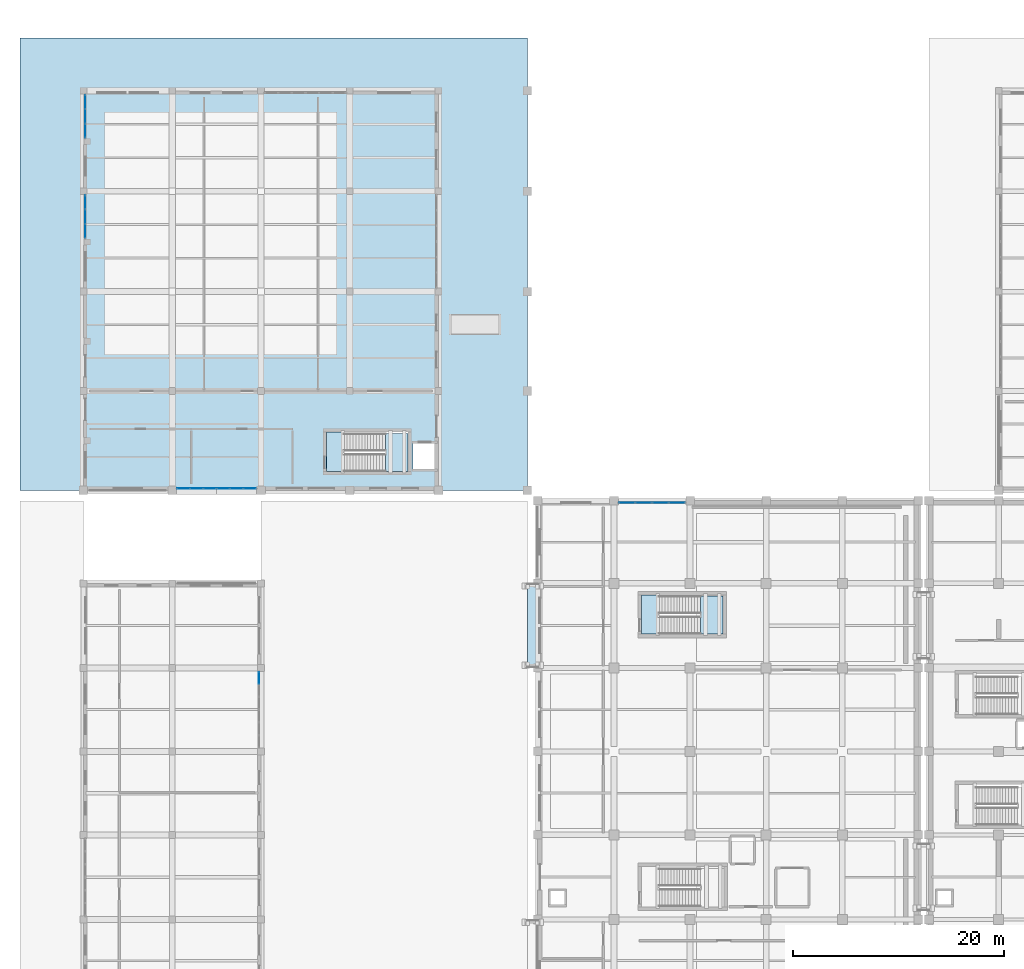
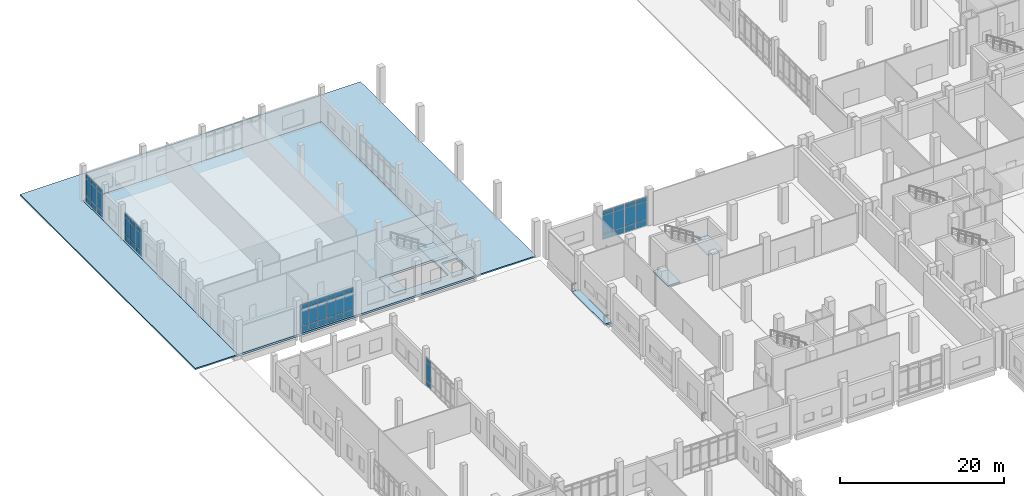
# One storey, part 43 of 79: 51 plates, 7 slabs, 9 elements without a shape of their own.
"""IFC4 building model written with IfcOpenShell, lengths in metres."""

from ifc_helpers import new_model, si_unit, direction, frame, origin, origin_2d, place, context, subcontext, project, spatial, polyline, rectangle, outline, extrude, material, layer, layer_set, type_object, element, aggregate, save


model = new_model("IFC4")

# Units and contexts
model_context = context("Model", 3, precision=1e-05, world=origin(), true_north=direction((0.0, 1.0)))
body_context = subcontext(model_context, "Body", "Model", "MODEL_VIEW")
ifc_project = project(units=[si_unit("LENGTHUNIT", "METRE"), si_unit("AREAUNIT", "SQUARE_METRE"), si_unit("VOLUMEUNIT", "CUBIC_METRE"), si_unit("PLANEANGLEUNIT", "RADIAN"), si_unit("MASSUNIT", "GRAM", prefix="KILO")], contexts=[model_context])

# Site, building, storey
site_placement = place(None, origin())
site = spatial("IfcSite", under=ifc_project, at=site_placement, CompositionType="ELEMENT")
building_placement = place(site_placement, origin())
building = spatial("IfcBuilding", under=site, at=building_placement, Name="Kelarvand Opera House", CompositionType="ELEMENT")
storey_placement = place(building_placement, origin())
storey = spatial("IfcBuildingStorey", under=building, at=storey_placement, Name="L00", CompositionType="ELEMENT", Elevation=0.0)

# Slabs
ifc_material_1 = material(Name="Concrete C35/45", Category="concrete")
ifc_layer_1 = layer(ifc_material_1, 0.219970703125, Name="Concrete C35/45", Category="concrete")
ifc_layer_set_1 = layer_set([ifc_layer_1], Name="Concrete C35/45")
slab_type_1 = type_object("IfcSlabType", Name="Core Stair Entry Landing Slab 220", PredefinedType="LANDING", material=ifc_layer_set_1)
slab_1_placement = place(storey_placement, frame((0.0, 0.0, -0.219970703125)))
element("IfcSlab", 1, at=slab_1_placement, inside=storey, type_object=slab_type_1, Name="C3 Stair Entry Landing L00", PredefinedType="LANDING", context=body_context, shape_type="SweptSolid", body=[
    extrude(outline(polyline([(61.800048828125, 73.60009765625), (63.52001953125, 73.60009765625), (63.52001953125, 77.300048828125), (61.800048828125, 77.300048828125), (61.800048828125, 73.60009765625)])), origin(), (0.0, 0.0, 1.0), 0.219970703125),
])
slab_2_placement = place(storey_placement, frame((0.0, 0.0, -0.219970703125)))
element("IfcSlab", 2, at=slab_2_placement, inside=storey, type_object=slab_type_1, Name="C5 Stair Entry Landing L00", PredefinedType="LANDING", context=body_context, shape_type="SweptSolid", body=[
    extrude(outline(polyline([(32.0, 89.0), (33.719970703125, 89.0), (33.719970703125, 92.699951171875), (32.0, 92.699951171875), (32.0, 89.0)])), origin(), (0.0, 0.0, 1.0), 0.219970703125),
])

# Curtain wall, plates
ifc_material_2 = material(Name="Thermally broken aluminium and low-E glazing", Category="aluminium")
ifc_layer_2 = layer(ifc_material_2, 0.179931640625, Name="Thermally broken aluminium and low-E glazing", Category="aluminium")
ifc_layer_set_2 = layer_set([ifc_layer_2], Name="Thermally broken aluminium and low-E glazing")
curtain_wall_type_1 = type_object("IfcCurtainWallType", Name="Unitised Low-E Curtain Wall 3176x4350 Mod 1350 CWF-09", PredefinedType="USERDEFINED", material=ifc_layer_set_2)
curtain_wall_1_placement = place(storey_placement, origin())
curtain_wall_1 = element("IfcCurtainWall", 3, at=curtain_wall_1_placement, inside=storey, type_object=curtain_wall_type_1, Name="V2 L00 Curtain Wall CWF-09 (27)", ObjectType="UNITISED CURTAIN WALL", PredefinedType="USERDEFINED")
ifc_material_3 = material(Name="Low-E laminated double glazing", Category="glass")
ifc_layer_3 = layer(ifc_material_3, 0.031982421875, Name="Low-E laminated double glazing", Category="glass")
ifc_layer_set_3 = layer_set([ifc_layer_3], Name="Low-E laminated double glazing")
plate_type = type_object("IfcPlateType", Name="Low-E Argon Double Glazed Curtain Panel 32mm", PredefinedType="CURTAIN_PANEL", material=ifc_layer_set_3)
plate_1_placement = place(storey_placement, frame((60.43017578125, 86.02001953125, 0.06494140625), z_axis=(0.0, 0.0, 1.0), x_axis=(1.0, 0.0, 0.0)))
plate_1 = element("IfcPlate", 4, at=plate_1_placement, type_object=plate_type, Name="CWF-09 panel 1.1", PredefinedType="CURTAIN_PANEL", context=body_context, shape_type="SweptSolid", body=[
    extrude(rectangle(XDim=1.490478515625, YDim=0.031982421875, at=origin_2d()), origin(), (0.0, 0.0, 1.0), 0.802490234375),
])
plate_2_placement = place(storey_placement, frame((60.43017578125, 86.02001953125, 0.932373046875), z_axis=(0.0, 0.0, 1.0), x_axis=(1.0, 0.0, 0.0)))
plate_2 = element("IfcPlate", 5, at=plate_2_placement, type_object=plate_type, Name="CWF-09 panel 1.2", PredefinedType="CURTAIN_PANEL", context=body_context, shape_type="SweptSolid", body=[
    extrude(rectangle(XDim=1.490478515625, YDim=0.031982421875, at=origin_2d()), origin(), (0.0, 0.0, 1.0), 2.68505859375),
])
plate_3_placement = place(storey_placement, frame((60.43017578125, 86.02001953125, 3.682373046875), z_axis=(0.0, 0.0, 1.0), x_axis=(1.0, 0.0, 0.0)))
plate_3 = element("IfcPlate", 6, at=plate_3_placement, type_object=plate_type, Name="CWF-09 panel 1.3", PredefinedType="CURTAIN_PANEL", context=body_context, shape_type="SweptSolid", body=[
    extrude(rectangle(XDim=1.490478515625, YDim=0.031982421875, at=origin_2d()), origin(), (0.0, 0.0, 1.0), 0.6025390625),
])
plate_4_placement = place(storey_placement, frame((61.98583984375, 86.02001953125, 0.06494140625), z_axis=(0.0, 0.0, 1.0), x_axis=(1.0, 0.0, 0.0)))
plate_4 = element("IfcPlate", 7, at=plate_4_placement, type_object=plate_type, Name="CWF-09 panel 2.1", PredefinedType="CURTAIN_PANEL", context=body_context, shape_type="SweptSolid", body=[
    extrude(rectangle(XDim=1.490478515625, YDim=0.031982421875, at=origin_2d()), origin(), (0.0, 0.0, 1.0), 0.802490234375),
])
plate_5_placement = place(storey_placement, frame((61.98583984375, 86.02001953125, 0.932373046875), z_axis=(0.0, 0.0, 1.0), x_axis=(1.0, 0.0, 0.0)))
plate_5 = element("IfcPlate", 8, at=plate_5_placement, type_object=plate_type, Name="CWF-09 panel 2.2", PredefinedType="CURTAIN_PANEL", context=body_context, shape_type="SweptSolid", body=[
    extrude(rectangle(XDim=1.490478515625, YDim=0.031982421875, at=origin_2d()), origin(), (0.0, 0.0, 1.0), 2.68505859375),
])
plate_6_placement = place(storey_placement, frame((61.98583984375, 86.02001953125, 3.682373046875), z_axis=(0.0, 0.0, 1.0), x_axis=(1.0, 0.0, 0.0)))
plate_6 = element("IfcPlate", 9, at=plate_6_placement, type_object=plate_type, Name="CWF-09 panel 2.3", PredefinedType="CURTAIN_PANEL", context=body_context, shape_type="SweptSolid", body=[
    extrude(rectangle(XDim=1.490478515625, YDim=0.031982421875, at=origin_2d()), origin(), (0.0, 0.0, 1.0), 0.6025390625),
])
aggregate(curtain_wall_1, [plate_1, plate_2, plate_3, plate_4, plate_5, plate_6])

curtain_wall_2_placement = place(storey_placement, origin())
curtain_wall_2 = element("IfcCurtainWall", 10, at=curtain_wall_2_placement, inside=storey, type_object=curtain_wall_type_1, Name="V2 L00 Curtain Wall CWF-09 (28)", ObjectType="UNITISED CURTAIN WALL", PredefinedType="USERDEFINED")
plate_7_placement = place(storey_placement, frame((63.611328125, 86.02001953125, 0.06494140625), z_axis=(0.0, 0.0, 1.0), x_axis=(1.0, 0.0, 0.0)))
plate_7 = element("IfcPlate", 11, at=plate_7_placement, type_object=plate_type, Name="CWF-09 panel 1.1", PredefinedType="CURTAIN_PANEL", context=body_context, shape_type="SweptSolid", body=[
    extrude(rectangle(XDim=1.492431640625, YDim=0.031982421875, at=origin_2d()), origin(), (0.0, 0.0, 1.0), 0.802490234375),
])
plate_8_placement = place(storey_placement, frame((63.611328125, 86.02001953125, 0.932373046875), z_axis=(0.0, 0.0, 1.0), x_axis=(1.0, 0.0, 0.0)))
plate_8 = element("IfcPlate", 12, at=plate_8_placement, type_object=plate_type, Name="CWF-09 panel 1.2", PredefinedType="CURTAIN_PANEL", context=body_context, shape_type="SweptSolid", body=[
    extrude(rectangle(XDim=1.492431640625, YDim=0.031982421875, at=origin_2d()), origin(), (0.0, 0.0, 1.0), 2.68505859375),
])
plate_9_placement = place(storey_placement, frame((63.611328125, 86.02001953125, 3.682373046875), z_axis=(0.0, 0.0, 1.0), x_axis=(1.0, 0.0, 0.0)))
plate_9 = element("IfcPlate", 13, at=plate_9_placement, type_object=plate_type, Name="CWF-09 panel 1.3", PredefinedType="CURTAIN_PANEL", context=body_context, shape_type="SweptSolid", body=[
    extrude(rectangle(XDim=1.492431640625, YDim=0.031982421875, at=origin_2d()), origin(), (0.0, 0.0, 1.0), 0.6025390625),
])
plate_10_placement = place(storey_placement, frame((65.168701171875, 86.02001953125, 0.06494140625), z_axis=(0.0, 0.0, 1.0), x_axis=(1.0, 0.0, 0.0)))
plate_10 = element("IfcPlate", 14, at=plate_10_placement, type_object=plate_type, Name="CWF-09 panel 2.1", PredefinedType="CURTAIN_PANEL", context=body_context, shape_type="SweptSolid", body=[
    extrude(rectangle(XDim=1.492431640625, YDim=0.031982421875, at=origin_2d()), origin(), (0.0, 0.0, 1.0), 0.802490234375),
])
plate_11_placement = place(storey_placement, frame((65.168701171875, 86.02001953125, 0.932373046875), z_axis=(0.0, 0.0, 1.0), x_axis=(1.0, 0.0, 0.0)))
plate_11 = element("IfcPlate", 15, at=plate_11_placement, type_object=plate_type, Name="CWF-09 panel 2.2", PredefinedType="CURTAIN_PANEL", context=body_context, shape_type="SweptSolid", body=[
    extrude(rectangle(XDim=1.492431640625, YDim=0.031982421875, at=origin_2d()), origin(), (0.0, 0.0, 1.0), 2.68505859375),
])
plate_12_placement = place(storey_placement, frame((65.168701171875, 86.02001953125, 3.682373046875), z_axis=(0.0, 0.0, 1.0), x_axis=(1.0, 0.0, 0.0)))
plate_12 = element("IfcPlate", 16, at=plate_12_placement, type_object=plate_type, Name="CWF-09 panel 2.3", PredefinedType="CURTAIN_PANEL", context=body_context, shape_type="SweptSolid", body=[
    extrude(rectangle(XDim=1.492431640625, YDim=0.031982421875, at=origin_2d()), origin(), (0.0, 0.0, 1.0), 0.6025390625),
])
aggregate(curtain_wall_2, [plate_7, plate_8, plate_9, plate_10, plate_11, plate_12])

ifc_layer_4 = layer(ifc_material_2, 0.179931640625, Name="Thermally broken aluminium and low-E glazing", Category="aluminium")
ifc_layer_set_4 = layer_set([ifc_layer_4], Name="Thermally broken aluminium and low-E glazing")
curtain_wall_type_2 = type_object("IfcCurtainWallType", Name="Unitised Low-E Curtain Wall 4155x4200 Mod 1350 CWF-13", PredefinedType="USERDEFINED", material=ifc_layer_set_4)
curtain_wall_3_placement = place(storey_placement, origin())
curtain_wall_3 = element("IfcCurtainWall", 17, at=curtain_wall_3_placement, inside=storey, type_object=curtain_wall_type_2, Name="V3 L00 Curtain Wall CWF-13 (43)", ObjectType="UNITISED CURTAIN WALL", PredefinedType="USERDEFINED")
plate_13_placement = place(storey_placement, frame((9.179931640625, 111.71875, 0.06494140625), z_axis=(0.0, 0.0, 1.0), x_axis=(0.0, 1.0, 0.0)))
plate_13 = element("IfcPlate", 18, at=plate_13_placement, type_object=plate_type, Name="CWF-13 panel 1.1", PredefinedType="CURTAIN_PANEL", context=body_context, shape_type="SweptSolid", body=[
    extrude(rectangle(XDim=1.28759765625, YDim=0.031982421875, at=origin_2d()), origin(), (0.0, 0.0, 1.0), 0.802490234375),
])
plate_14_placement = place(storey_placement, frame((9.179931640625, 111.71875, 0.9326171875), z_axis=(0.0, 0.0, 1.0), x_axis=(0.0, 1.0, 0.0)))
plate_14 = element("IfcPlate", 19, at=plate_14_placement, type_object=plate_type, Name="CWF-13 panel 1.2", PredefinedType="CURTAIN_PANEL", context=body_context, shape_type="SweptSolid", body=[
    extrude(rectangle(XDim=1.28759765625, YDim=0.031982421875, at=origin_2d()), origin(), (0.0, 0.0, 1.0), 2.534912109375),
])
plate_15_placement = place(storey_placement, frame((9.179931640625, 111.71875, 3.532470703125), z_axis=(0.0, 0.0, 1.0), x_axis=(0.0, 1.0, 0.0)))
plate_15 = element("IfcPlate", 20, at=plate_15_placement, type_object=plate_type, Name="CWF-13 panel 1.3", PredefinedType="CURTAIN_PANEL", context=body_context, shape_type="SweptSolid", body=[
    extrude(rectangle(XDim=1.28759765625, YDim=0.031982421875, at=origin_2d()), origin(), (0.0, 0.0, 1.0), 0.6025390625),
])
plate_16_placement = place(storey_placement, frame((9.179931640625, 113.08740234375, 0.06494140625), z_axis=(0.0, 0.0, 1.0), x_axis=(0.0, 1.0, 0.0)))
plate_16 = element("IfcPlate", 21, at=plate_16_placement, type_object=plate_type, Name="CWF-13 panel 2.1", PredefinedType="CURTAIN_PANEL", context=body_context, shape_type="SweptSolid", body=[
    extrude(rectangle(XDim=1.320068359375, YDim=0.031982421875, at=origin_2d()), origin(), (0.0, 0.0, 1.0), 0.802490234375),
])
plate_17_placement = place(storey_placement, frame((9.179931640625, 113.08740234375, 0.9326171875), z_axis=(0.0, 0.0, 1.0), x_axis=(0.0, 1.0, 0.0)))
plate_17 = element("IfcPlate", 22, at=plate_17_placement, type_object=plate_type, Name="CWF-13 panel 2.2", PredefinedType="CURTAIN_PANEL", context=body_context, shape_type="SweptSolid", body=[
    extrude(rectangle(XDim=1.320068359375, YDim=0.031982421875, at=origin_2d()), origin(), (0.0, 0.0, 1.0), 2.534912109375),
])
plate_18_placement = place(storey_placement, frame((9.179931640625, 113.08740234375, 3.532470703125), z_axis=(0.0, 0.0, 1.0), x_axis=(0.0, 1.0, 0.0)))
plate_18 = element("IfcPlate", 23, at=plate_18_placement, type_object=plate_type, Name="CWF-13 panel 2.3", PredefinedType="CURTAIN_PANEL", context=body_context, shape_type="SweptSolid", body=[
    extrude(rectangle(XDim=1.320068359375, YDim=0.031982421875, at=origin_2d()), origin(), (0.0, 0.0, 1.0), 0.6025390625),
])
plate_19_placement = place(storey_placement, frame((9.179931640625, 114.456298828125, 0.06494140625), z_axis=(0.0, 0.0, 1.0), x_axis=(0.0, 1.0, 0.0)))
plate_19 = element("IfcPlate", 24, at=plate_19_placement, type_object=plate_type, Name="CWF-13 panel 3.1", PredefinedType="CURTAIN_PANEL", context=body_context, shape_type="SweptSolid", body=[
    extrude(rectangle(XDim=1.28759765625, YDim=0.031982421875, at=origin_2d()), origin(), (0.0, 0.0, 1.0), 0.802490234375),
])
plate_20_placement = place(storey_placement, frame((9.179931640625, 114.456298828125, 0.9326171875), z_axis=(0.0, 0.0, 1.0), x_axis=(0.0, 1.0, 0.0)))
plate_20 = element("IfcPlate", 25, at=plate_20_placement, type_object=plate_type, Name="CWF-13 panel 3.2", PredefinedType="CURTAIN_PANEL", context=body_context, shape_type="SweptSolid", body=[
    extrude(rectangle(XDim=1.28759765625, YDim=0.031982421875, at=origin_2d()), origin(), (0.0, 0.0, 1.0), 2.534912109375),
])
plate_21_placement = place(storey_placement, frame((9.179931640625, 114.456298828125, 3.532470703125), z_axis=(0.0, 0.0, 1.0), x_axis=(0.0, 1.0, 0.0)))
plate_21 = element("IfcPlate", 26, at=plate_21_placement, type_object=plate_type, Name="CWF-13 panel 3.3", PredefinedType="CURTAIN_PANEL", context=body_context, shape_type="SweptSolid", body=[
    extrude(rectangle(XDim=1.28759765625, YDim=0.031982421875, at=origin_2d()), origin(), (0.0, 0.0, 1.0), 0.6025390625),
])
aggregate(curtain_wall_3, [plate_13, plate_14, plate_15, plate_16, plate_17, plate_18, plate_19, plate_20, plate_21])

curtain_wall_4_placement = place(storey_placement, origin())
curtain_wall_4 = element("IfcCurtainWall", 27, at=curtain_wall_4_placement, inside=storey, type_object=curtain_wall_type_2, Name="V3 L00 Curtain Wall CWF-13 (44)", ObjectType="UNITISED CURTAIN WALL", PredefinedType="USERDEFINED")
plate_22_placement = place(storey_placement, frame((9.179931640625, 121.21875, 0.06494140625), z_axis=(0.0, 0.0, 1.0), x_axis=(0.0, 1.0, 0.0)))
plate_22 = element("IfcPlate", 28, at=plate_22_placement, type_object=plate_type, Name="CWF-13 panel 1.1", PredefinedType="CURTAIN_PANEL", context=body_context, shape_type="SweptSolid", body=[
    extrude(rectangle(XDim=1.28759765625, YDim=0.031982421875, at=origin_2d()), origin(), (0.0, 0.0, 1.0), 0.802490234375),
])
plate_23_placement = place(storey_placement, frame((9.179931640625, 121.21875, 0.9326171875), z_axis=(0.0, 0.0, 1.0), x_axis=(0.0, 1.0, 0.0)))
plate_23 = element("IfcPlate", 29, at=plate_23_placement, type_object=plate_type, Name="CWF-13 panel 1.2", PredefinedType="CURTAIN_PANEL", context=body_context, shape_type="SweptSolid", body=[
    extrude(rectangle(XDim=1.28759765625, YDim=0.031982421875, at=origin_2d()), origin(), (0.0, 0.0, 1.0), 2.534912109375),
])
plate_24_placement = place(storey_placement, frame((9.179931640625, 121.21875, 3.532470703125), z_axis=(0.0, 0.0, 1.0), x_axis=(0.0, 1.0, 0.0)))
plate_24 = element("IfcPlate", 30, at=plate_24_placement, type_object=plate_type, Name="CWF-13 panel 1.3", PredefinedType="CURTAIN_PANEL", context=body_context, shape_type="SweptSolid", body=[
    extrude(rectangle(XDim=1.28759765625, YDim=0.031982421875, at=origin_2d()), origin(), (0.0, 0.0, 1.0), 0.6025390625),
])
plate_25_placement = place(storey_placement, frame((9.179931640625, 122.58740234375, 0.06494140625), z_axis=(0.0, 0.0, 1.0), x_axis=(0.0, 1.0, 0.0)))
plate_25 = element("IfcPlate", 31, at=plate_25_placement, type_object=plate_type, Name="CWF-13 panel 2.1", PredefinedType="CURTAIN_PANEL", context=body_context, shape_type="SweptSolid", body=[
    extrude(rectangle(XDim=1.320068359375, YDim=0.031982421875, at=origin_2d()), origin(), (0.0, 0.0, 1.0), 0.802490234375),
])
plate_26_placement = place(storey_placement, frame((9.179931640625, 122.58740234375, 0.9326171875), z_axis=(0.0, 0.0, 1.0), x_axis=(0.0, 1.0, 0.0)))
plate_26 = element("IfcPlate", 32, at=plate_26_placement, type_object=plate_type, Name="CWF-13 panel 2.2", PredefinedType="CURTAIN_PANEL", context=body_context, shape_type="SweptSolid", body=[
    extrude(rectangle(XDim=1.320068359375, YDim=0.031982421875, at=origin_2d()), origin(), (0.0, 0.0, 1.0), 2.534912109375),
])
plate_27_placement = place(storey_placement, frame((9.179931640625, 122.58740234375, 3.532470703125), z_axis=(0.0, 0.0, 1.0), x_axis=(0.0, 1.0, 0.0)))
plate_27 = element("IfcPlate", 33, at=plate_27_placement, type_object=plate_type, Name="CWF-13 panel 2.3", PredefinedType="CURTAIN_PANEL", context=body_context, shape_type="SweptSolid", body=[
    extrude(rectangle(XDim=1.320068359375, YDim=0.031982421875, at=origin_2d()), origin(), (0.0, 0.0, 1.0), 0.6025390625),
])
plate_28_placement = place(storey_placement, frame((9.179931640625, 123.956298828125, 0.06494140625), z_axis=(0.0, 0.0, 1.0), x_axis=(0.0, 1.0, 0.0)))
plate_28 = element("IfcPlate", 34, at=plate_28_placement, type_object=plate_type, Name="CWF-13 panel 3.1", PredefinedType="CURTAIN_PANEL", context=body_context, shape_type="SweptSolid", body=[
    extrude(rectangle(XDim=1.28759765625, YDim=0.031982421875, at=origin_2d()), origin(), (0.0, 0.0, 1.0), 0.802490234375),
])
plate_29_placement = place(storey_placement, frame((9.179931640625, 123.956298828125, 0.9326171875), z_axis=(0.0, 0.0, 1.0), x_axis=(0.0, 1.0, 0.0)))
plate_29 = element("IfcPlate", 35, at=plate_29_placement, type_object=plate_type, Name="CWF-13 panel 3.2", PredefinedType="CURTAIN_PANEL", context=body_context, shape_type="SweptSolid", body=[
    extrude(rectangle(XDim=1.28759765625, YDim=0.031982421875, at=origin_2d()), origin(), (0.0, 0.0, 1.0), 2.534912109375),
])
plate_30_placement = place(storey_placement, frame((9.179931640625, 123.956298828125, 3.532470703125), z_axis=(0.0, 0.0, 1.0), x_axis=(0.0, 1.0, 0.0)))
plate_30 = element("IfcPlate", 36, at=plate_30_placement, type_object=plate_type, Name="CWF-13 panel 3.3", PredefinedType="CURTAIN_PANEL", context=body_context, shape_type="SweptSolid", body=[
    extrude(rectangle(XDim=1.28759765625, YDim=0.031982421875, at=origin_2d()), origin(), (0.0, 0.0, 1.0), 0.6025390625),
])
aggregate(curtain_wall_4, [plate_22, plate_23, plate_24, plate_25, plate_26, plate_27, plate_28, plate_29, plate_30])

ifc_layer_5 = layer(ifc_material_2, 0.179931640625, Name="Thermally broken aluminium and low-E glazing", Category="aluminium")
ifc_layer_set_5 = layer_set([ifc_layer_5], Name="Thermally broken aluminium and low-E glazing")
curtain_wall_type_3 = type_object("IfcCurtainWallType", Name="Unitised Low-E Curtain Wall 3776x4200 Mod 1350 CWF-14", PredefinedType="USERDEFINED", material=ifc_layer_set_5)
curtain_wall_5_placement = place(storey_placement, origin())
curtain_wall_5 = element("IfcCurtainWall", 37, at=curtain_wall_5_placement, inside=storey, type_object=curtain_wall_type_3, Name="V3 L00 Curtain Wall CWF-14 (45)", ObjectType="UNITISED CURTAIN WALL", PredefinedType="USERDEFINED")
plate_31_placement = place(storey_placement, frame((24.734375, 87.3798828125, 0.06494140625), z_axis=(0.0, 0.0, 1.0), x_axis=(-1.0, 0.0, 0.0)))
plate_31 = element("IfcPlate", 38, at=plate_31_placement, type_object=plate_type, Name="CWF-14 panel 1.1", PredefinedType="CURTAIN_PANEL", context=body_context, shape_type="SweptSolid", body=[
    extrude(rectangle(XDim=1.1611328125, YDim=0.031982421875, at=origin_2d()), origin(), (0.0, 0.0, 1.0), 0.802490234375),
])
plate_32_placement = place(storey_placement, frame((24.734375, 87.3798828125, 0.9326171875), z_axis=(0.0, 0.0, 1.0), x_axis=(-1.0, 0.0, 0.0)))
plate_32 = element("IfcPlate", 39, at=plate_32_placement, type_object=plate_type, Name="CWF-14 panel 1.2", PredefinedType="CURTAIN_PANEL", context=body_context, shape_type="SweptSolid", body=[
    extrude(rectangle(XDim=1.1611328125, YDim=0.031982421875, at=origin_2d()), origin(), (0.0, 0.0, 1.0), 2.534912109375),
])
plate_33_placement = place(storey_placement, frame((24.734375, 87.3798828125, 3.532470703125), z_axis=(0.0, 0.0, 1.0), x_axis=(-1.0, 0.0, 0.0)))
plate_33 = element("IfcPlate", 40, at=plate_33_placement, type_object=plate_type, Name="CWF-14 panel 1.3", PredefinedType="CURTAIN_PANEL", context=body_context, shape_type="SweptSolid", body=[
    extrude(rectangle(XDim=1.1611328125, YDim=0.031982421875, at=origin_2d()), origin(), (0.0, 0.0, 1.0), 0.6025390625),
])
plate_34_placement = place(storey_placement, frame((23.491943359375, 87.3798828125, 0.06494140625), z_axis=(0.0, 0.0, 1.0), x_axis=(-1.0, 0.0, 0.0)))
plate_34 = element("IfcPlate", 41, at=plate_34_placement, type_object=plate_type, Name="CWF-14 panel 2.1", PredefinedType="CURTAIN_PANEL", context=body_context, shape_type="SweptSolid", body=[
    extrude(rectangle(XDim=1.193603515625, YDim=0.031982421875, at=origin_2d()), origin(), (0.0, 0.0, 1.0), 0.802490234375),
])
plate_35_placement = place(storey_placement, frame((23.491943359375, 87.3798828125, 0.9326171875), z_axis=(0.0, 0.0, 1.0), x_axis=(-1.0, 0.0, 0.0)))
plate_35 = element("IfcPlate", 42, at=plate_35_placement, type_object=plate_type, Name="CWF-14 panel 2.2", PredefinedType="CURTAIN_PANEL", context=body_context, shape_type="SweptSolid", body=[
    extrude(rectangle(XDim=1.193603515625, YDim=0.031982421875, at=origin_2d()), origin(), (0.0, 0.0, 1.0), 2.534912109375),
])
plate_36_placement = place(storey_placement, frame((23.491943359375, 87.3798828125, 3.532470703125), z_axis=(0.0, 0.0, 1.0), x_axis=(-1.0, 0.0, 0.0)))
plate_36 = element("IfcPlate", 43, at=plate_36_placement, type_object=plate_type, Name="CWF-14 panel 2.3", PredefinedType="CURTAIN_PANEL", context=body_context, shape_type="SweptSolid", body=[
    extrude(rectangle(XDim=1.193603515625, YDim=0.031982421875, at=origin_2d()), origin(), (0.0, 0.0, 1.0), 0.6025390625),
])
plate_37_placement = place(storey_placement, frame((22.24951171875, 87.3798828125, 0.06494140625), z_axis=(0.0, 0.0, 1.0), x_axis=(-1.0, 0.0, 0.0)))
plate_37 = element("IfcPlate", 44, at=plate_37_placement, type_object=plate_type, Name="CWF-14 panel 3.1", PredefinedType="CURTAIN_PANEL", context=body_context, shape_type="SweptSolid", body=[
    extrude(rectangle(XDim=1.1611328125, YDim=0.031982421875, at=origin_2d()), origin(), (0.0, 0.0, 1.0), 0.802490234375),
])
plate_38_placement = place(storey_placement, frame((22.24951171875, 87.3798828125, 0.9326171875), z_axis=(0.0, 0.0, 1.0), x_axis=(-1.0, 0.0, 0.0)))
plate_38 = element("IfcPlate", 45, at=plate_38_placement, type_object=plate_type, Name="CWF-14 panel 3.2", PredefinedType="CURTAIN_PANEL", context=body_context, shape_type="SweptSolid", body=[
    extrude(rectangle(XDim=1.1611328125, YDim=0.031982421875, at=origin_2d()), origin(), (0.0, 0.0, 1.0), 2.534912109375),
])
plate_39_placement = place(storey_placement, frame((22.24951171875, 87.3798828125, 3.532470703125), z_axis=(0.0, 0.0, 1.0), x_axis=(-1.0, 0.0, 0.0)))
plate_39 = element("IfcPlate", 46, at=plate_39_placement, type_object=plate_type, Name="CWF-14 panel 3.3", PredefinedType="CURTAIN_PANEL", context=body_context, shape_type="SweptSolid", body=[
    extrude(rectangle(XDim=1.1611328125, YDim=0.031982421875, at=origin_2d()), origin(), (0.0, 0.0, 1.0), 0.6025390625),
])
aggregate(curtain_wall_5, [plate_31, plate_32, plate_33, plate_34, plate_35, plate_36, plate_37, plate_38, plate_39])

curtain_wall_6_placement = place(storey_placement, origin())
curtain_wall_6 = element("IfcCurtainWall", 47, at=curtain_wall_6_placement, inside=storey, type_object=curtain_wall_type_3, Name="V3 L00 Curtain Wall CWF-14 (46)", ObjectType="UNITISED CURTAIN WALL", PredefinedType="USERDEFINED")
plate_40_placement = place(storey_placement, frame((20.953857421875, 87.3798828125, 0.06494140625), z_axis=(0.0, 0.0, 1.0), x_axis=(-1.0, 0.0, 0.0)))
plate_40 = element("IfcPlate", 48, at=plate_40_placement, type_object=plate_type, Name="CWF-14 panel 1.1", PredefinedType="CURTAIN_PANEL", context=body_context, shape_type="SweptSolid", body=[
    extrude(rectangle(XDim=1.16259765625, YDim=0.031982421875, at=origin_2d()), origin(), (0.0, 0.0, 1.0), 0.802490234375),
])
plate_41_placement = place(storey_placement, frame((20.953857421875, 87.3798828125, 0.9326171875), z_axis=(0.0, 0.0, 1.0), x_axis=(-1.0, 0.0, 0.0)))
plate_41 = element("IfcPlate", 49, at=plate_41_placement, type_object=plate_type, Name="CWF-14 panel 1.2", PredefinedType="CURTAIN_PANEL", context=body_context, shape_type="SweptSolid", body=[
    extrude(rectangle(XDim=1.16259765625, YDim=0.031982421875, at=origin_2d()), origin(), (0.0, 0.0, 1.0), 2.534912109375),
])
plate_42_placement = place(storey_placement, frame((20.953857421875, 87.3798828125, 3.532470703125), z_axis=(0.0, 0.0, 1.0), x_axis=(-1.0, 0.0, 0.0)))
plate_42 = element("IfcPlate", 50, at=plate_42_placement, type_object=plate_type, Name="CWF-14 panel 1.3", PredefinedType="CURTAIN_PANEL", context=body_context, shape_type="SweptSolid", body=[
    extrude(rectangle(XDim=1.16259765625, YDim=0.031982421875, at=origin_2d()), origin(), (0.0, 0.0, 1.0), 0.6025390625),
])
plate_43_placement = place(storey_placement, frame((19.7099609375, 87.3798828125, 0.06494140625), z_axis=(0.0, 0.0, 1.0), x_axis=(-1.0, 0.0, 0.0)))
plate_43 = element("IfcPlate", 51, at=plate_43_placement, type_object=plate_type, Name="CWF-14 panel 2.1", PredefinedType="CURTAIN_PANEL", context=body_context, shape_type="SweptSolid", body=[
    extrude(rectangle(XDim=1.195068359375, YDim=0.031982421875, at=origin_2d()), origin(), (0.0, 0.0, 1.0), 0.802490234375),
])
plate_44_placement = place(storey_placement, frame((19.7099609375, 87.3798828125, 0.9326171875), z_axis=(0.0, 0.0, 1.0), x_axis=(-1.0, 0.0, 0.0)))
plate_44 = element("IfcPlate", 52, at=plate_44_placement, type_object=plate_type, Name="CWF-14 panel 2.2", PredefinedType="CURTAIN_PANEL", context=body_context, shape_type="SweptSolid", body=[
    extrude(rectangle(XDim=1.195068359375, YDim=0.031982421875, at=origin_2d()), origin(), (0.0, 0.0, 1.0), 2.534912109375),
])
plate_45_placement = place(storey_placement, frame((19.7099609375, 87.3798828125, 3.532470703125), z_axis=(0.0, 0.0, 1.0), x_axis=(-1.0, 0.0, 0.0)))
plate_45 = element("IfcPlate", 53, at=plate_45_placement, type_object=plate_type, Name="CWF-14 panel 2.3", PredefinedType="CURTAIN_PANEL", context=body_context, shape_type="SweptSolid", body=[
    extrude(rectangle(XDim=1.195068359375, YDim=0.031982421875, at=origin_2d()), origin(), (0.0, 0.0, 1.0), 0.6025390625),
])
plate_46_placement = place(storey_placement, frame((18.46630859375, 87.3798828125, 0.06494140625), z_axis=(0.0, 0.0, 1.0), x_axis=(-1.0, 0.0, 0.0)))
plate_46 = element("IfcPlate", 54, at=plate_46_placement, type_object=plate_type, Name="CWF-14 panel 3.1", PredefinedType="CURTAIN_PANEL", context=body_context, shape_type="SweptSolid", body=[
    extrude(rectangle(XDim=1.16259765625, YDim=0.031982421875, at=origin_2d()), origin(), (0.0, 0.0, 1.0), 0.802490234375),
])
plate_47_placement = place(storey_placement, frame((18.46630859375, 87.3798828125, 0.9326171875), z_axis=(0.0, 0.0, 1.0), x_axis=(-1.0, 0.0, 0.0)))
plate_47 = element("IfcPlate", 55, at=plate_47_placement, type_object=plate_type, Name="CWF-14 panel 3.2", PredefinedType="CURTAIN_PANEL", context=body_context, shape_type="SweptSolid", body=[
    extrude(rectangle(XDim=1.16259765625, YDim=0.031982421875, at=origin_2d()), origin(), (0.0, 0.0, 1.0), 2.534912109375),
])
plate_48_placement = place(storey_placement, frame((18.46630859375, 87.3798828125, 3.532470703125), z_axis=(0.0, 0.0, 1.0), x_axis=(-1.0, 0.0, 0.0)))
plate_48 = element("IfcPlate", 56, at=plate_48_placement, type_object=plate_type, Name="CWF-14 panel 3.3", PredefinedType="CURTAIN_PANEL", context=body_context, shape_type="SweptSolid", body=[
    extrude(rectangle(XDim=1.16259765625, YDim=0.031982421875, at=origin_2d()), origin(), (0.0, 0.0, 1.0), 0.6025390625),
])
aggregate(curtain_wall_6, [plate_40, plate_41, plate_42, plate_43, plate_44, plate_45, plate_46, plate_47, plate_48])

ifc_layer_6 = layer(ifc_material_2, 0.179931640625, Name="Thermally broken aluminium and low-E glazing", Category="aluminium")
ifc_layer_set_6 = layer_set([ifc_layer_6], Name="Thermally broken aluminium and low-E glazing")
curtain_wall_type_4 = type_object("IfcCurtainWallType", Name="Unitised Low-E Curtain Wall 3611x4250 Mod 1350 CWF-25", PredefinedType="USERDEFINED", material=ifc_layer_set_6)
curtain_wall_7_placement = place(storey_placement, origin())
curtain_wall_7 = element("IfcCurtainWall", 57, at=curtain_wall_7_placement, inside=storey, type_object=curtain_wall_type_4, Name="V4 L00 Curtain Wall CWF-25 (117)", ObjectType="UNITISED CURTAIN WALL", PredefinedType="USERDEFINED")
plate_49_placement = place(storey_placement, frame((25.6201171875, 69.447021484375, 0.06494140625), z_axis=(0.0, 0.0, 1.0), x_axis=(0.0, -1.0, 0.0)))
plate_49 = element("IfcPlate", 58, at=plate_49_placement, type_object=plate_type, Name="CWF-25 panel 1.1", PredefinedType="CURTAIN_PANEL", context=body_context, shape_type="SweptSolid", body=[
    extrude(rectangle(XDim=1.106201171875, YDim=0.031982421875, at=origin_2d()), origin(), (0.0, 0.0, 1.0), 0.802490234375),
])
plate_50_placement = place(storey_placement, frame((25.6201171875, 69.447021484375, 0.9326171875), z_axis=(0.0, 0.0, 1.0), x_axis=(0.0, -1.0, 0.0)))
plate_50 = element("IfcPlate", 59, at=plate_50_placement, type_object=plate_type, Name="CWF-25 panel 1.2", PredefinedType="CURTAIN_PANEL", context=body_context, shape_type="SweptSolid", body=[
    extrude(rectangle(XDim=1.106201171875, YDim=0.031982421875, at=origin_2d()), origin(), (0.0, 0.0, 1.0), 2.5849609375),
])
plate_51_placement = place(storey_placement, frame((25.6201171875, 69.447021484375, 3.58251953125), z_axis=(0.0, 0.0, 1.0), x_axis=(0.0, -1.0, 0.0)))
plate_51 = element("IfcPlate", 60, at=plate_51_placement, type_object=plate_type, Name="CWF-25 panel 1.3", PredefinedType="CURTAIN_PANEL", context=body_context, shape_type="SweptSolid", body=[
    extrude(rectangle(XDim=1.106201171875, YDim=0.031982421875, at=origin_2d()), origin(), (0.0, 0.0, 1.0), 0.6025390625),
])
aggregate(curtain_wall_7, [plate_49, plate_50, plate_51])

# Stair, slab
stair_type = type_object("IfcStairType", Name="Dogleg Concrete Exit Stair 1660mm 30R STA-02", PredefinedType="HALF_TURN_STAIR", material=ifc_material_1)
stair_1_placement = place(storey_placement, origin())
stair_1 = element("IfcStair", 61, at=stair_1_placement, inside=storey, type_object=stair_type, Name="L00 Fly Tower North Technical Core C3 Stair ST-03", PredefinedType="HALF_TURN_STAIR")
ifc_layer_7 = layer(ifc_material_1, 0.199951171875, Name="Concrete C35/45", Category="concrete")
ifc_layer_set_7 = layer_set([ifc_layer_7], Name="Concrete C35/45")
slab_type_2 = type_object("IfcSlabType", Name="Precast Stair Half-Landing Slab 200", PredefinedType="LANDING", material=ifc_layer_set_7)
slab_3_placement = place(storey_placement, frame((0.0, 0.0, 2.5)))
slab_3 = element("IfcSlab", 62, at=slab_3_placement, type_object=slab_type_2, Name="ST-03 landing 1", PredefinedType="LANDING", context=body_context, shape_type="SweptSolid", body=[
    extrude(outline(polyline([(67.3798828125, 73.60009765625), (69.5, 73.60009765625), (69.5, 77.199951171875), (67.3798828125, 77.199951171875), (67.3798828125, 73.60009765625)])), origin(), (0.0, 0.0, 1.0), 0.199951171875),
])
aggregate(stair_1, [slab_3])

stair_2_placement = place(storey_placement, origin())
stair_2 = element("IfcStair", 63, at=stair_2_placement, inside=storey, type_object=stair_type, Name="L00 Rehearsal Pavilion Core C5 Stair ST-05", PredefinedType="HALF_TURN_STAIR")
slab_4_placement = place(storey_placement, frame((0.0, 0.0, 2.5)))
slab_4 = element("IfcSlab", 64, at=slab_4_placement, type_object=slab_type_2, Name="ST-05 landing 1", PredefinedType="LANDING", context=body_context, shape_type="SweptSolid", body=[
    extrude(outline(polyline([(37.580078125, 89.0), (39.699951171875, 89.0), (39.699951171875, 92.60009765625), (37.580078125, 92.60009765625), (37.580078125, 89.0)])), origin(), (0.0, 0.0, 1.0), 0.199951171875),
])
aggregate(stair_2, [slab_4])

# Slabs
ifc_layer_8 = layer(ifc_material_1, 0.260009765625, Name="Concrete C35/45", Category="concrete")
ifc_layer_set_8 = layer_set([ifc_layer_8], Name="Concrete C35/45")
slab_type_3 = type_object("IfcSlabType", Name="Seismic Bridge Deck Slab 260", PredefinedType="FLOOR", material=ifc_layer_set_8)
slab_5_placement = place(storey_placement, frame((0.0, 0.0, -0.260009765625)))
element("IfcSlab", 65, at=slab_5_placement, inside=storey, type_object=slab_type_3, Name="Seismic Joint Sliding Bridge BR-JW-N L00", PredefinedType="FLOOR", context=body_context, shape_type="SweptSolid", body=[
    extrude(outline(polyline([(51.0, 70.39990234375), (52.0, 70.39990234375), (52.0, 78.39990234375), (51.0, 78.39990234375), (51.0, 70.39990234375)])), origin(), (0.0, 0.0, 1.0), 0.260009765625),
])
ifc_layer_9 = layer(ifc_material_1, 0.199951171875, Name="Concrete C35/45", Category="concrete")
ifc_layer_set_9 = layer_set([ifc_layer_9], Name="Concrete C35/45")
slab_type_4 = type_object("IfcSlabType", Name="Site Entrance and Apron Paving 200", PredefinedType="USERDEFINED", material=ifc_layer_set_9)
slab_6_placement = place(storey_placement, frame((0.0, 0.0, -0.199951171875)))
element("IfcSlab", 66, at=slab_6_placement, inside=storey, type_object=slab_type_4, Name="Exterior Pav Nw V3 Wrap", ObjectType="PAVING", PredefinedType="USERDEFINED", context=body_context, shape_type="SweptSolid", body=[
    extrude(outline(polyline([(3.0, 87.199951171875), (9.0, 87.199951171875), (9.0, 125.0), (42.60009765625, 125.0), (42.60009765625, 87.199951171875), (51.0, 87.199951171875), (51.0, 130.0), (3.0, 130.0), (3.0, 87.199951171875)])), origin(), (0.0, 0.0, 1.0), 0.199951171875),
])
ifc_layer_10 = layer(ifc_material_1, 0.300048828125, Name="Concrete C35/45", Category="concrete")
ifc_layer_set_10 = layer_set([ifc_layer_10], Name="Concrete C35/45")
slab_type_5 = type_object("IfcSlabType", Name="Suspended Floor Slab 300", PredefinedType="FLOOR", material=ifc_layer_set_10)
slab_7_placement = place(storey_placement, frame((0.0, 0.0, -0.300048828125)))
element("IfcSlab", 67, at=slab_7_placement, inside=storey, type_object=slab_type_5, Name="V3 L00 Structural Slab 20", PredefinedType="FLOOR", context=body_context, shape_type="SweptSolid", body=[
    extrude(outline(polyline([(42.60009765625, 87.199951171875), (42.60009765625, 125.0), (9.0, 125.0), (9.0, 87.199951171875), (42.60009765625, 87.199951171875)]), holes=[polyline([(40.199951171875, 89.199951171875), (40.199951171875, 91.64990234375), (42.39990234375, 91.64990234375), (42.39990234375, 89.199951171875), (40.199951171875, 89.199951171875)]), polyline([(32.0, 89.0), (32.0, 92.699951171875), (39.699951171875, 92.699951171875), (39.699951171875, 89.0), (32.0, 89.0)])]), origin(), (0.0, 0.0, 1.0), 0.300048828125),
])

save(model, "model.ifc")
